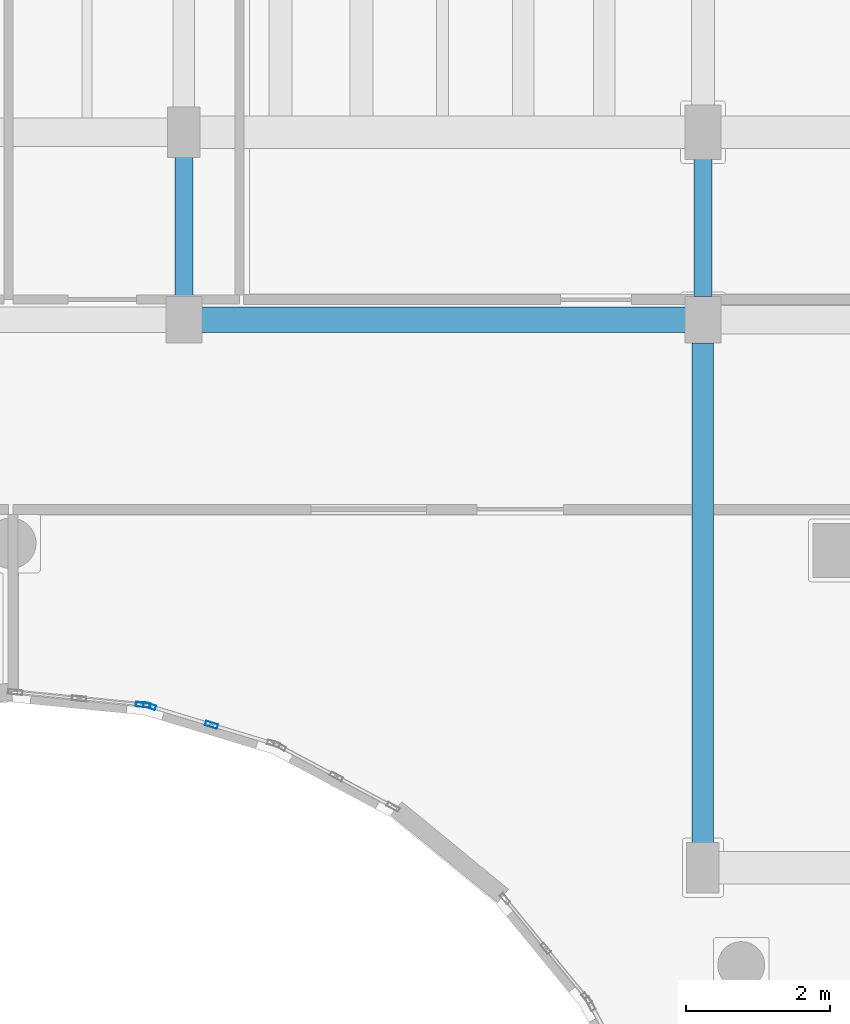
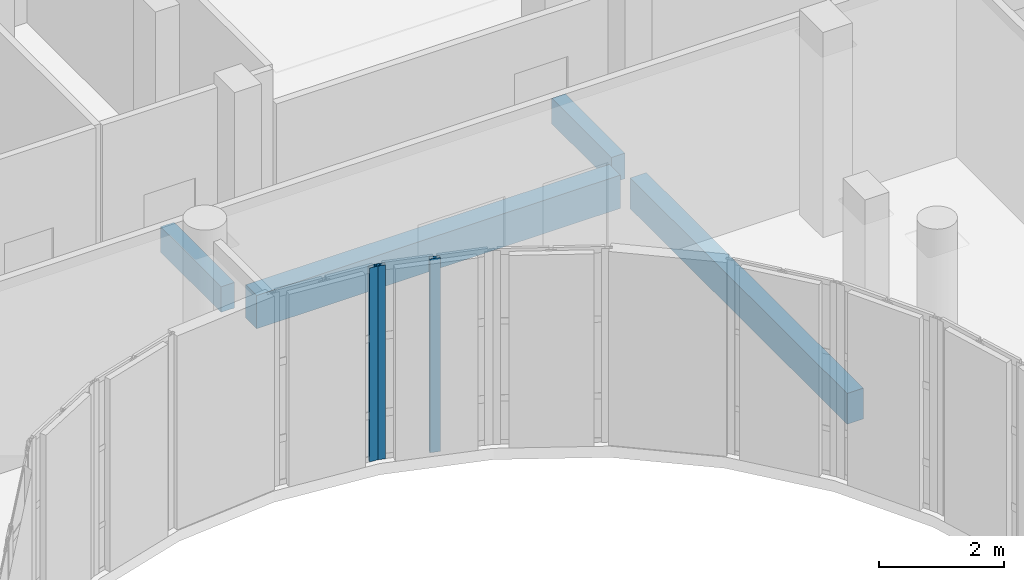
# One storey, part 43 of 89: 4 beams, 3 members, 2 elements without a shape of their own.
"""IFC4 building model written with IfcOpenShell, lengths in metres."""

from ifc_helpers import new_model, si_unit, direction, frame, origin, origin_2d, place, context, subcontext, project, spatial, rectangle, hollow_rectangle, extrude, material, layer, layer_set, material_profile, profile_set, type_object, element, aggregate, save


model = new_model("IFC4")

# Units and contexts
model_context = context("Model", 3, precision=1e-05, world=origin(), true_north=direction((0.0, 1.0)))
body_context = subcontext(model_context, "Body", "Model", "MODEL_VIEW")
ifc_project = project(units=[si_unit("LENGTHUNIT", "METRE"), si_unit("AREAUNIT", "SQUARE_METRE"), si_unit("VOLUMEUNIT", "CUBIC_METRE"), si_unit("PLANEANGLEUNIT", "RADIAN"), si_unit("MASSUNIT", "GRAM", prefix="KILO")], contexts=[model_context])

# Site, building, storey
site_placement = place(None, origin())
site = spatial("IfcSite", under=ifc_project, at=site_placement, CompositionType="ELEMENT")
building_placement = place(site_placement, origin())
building = spatial("IfcBuilding", under=site, at=building_placement, Name="Kelanivale Promenade Academy", CompositionType="ELEMENT")
storey_placement = place(building_placement, frame((0.0, 0.0, 12.199951171875)))
storey = spatial("IfcBuildingStorey", under=building, at=storey_placement, Name="L03", CompositionType="ELEMENT", Elevation=12.199951171875)

# Beam
ifc_material_1 = material(Name="Concrete C35/45", Category="concrete")
ifc_material_profile_1 = material_profile(ifc_material_1, rectangle(XDim=0.35009765625, YDim=0.64990234375, at=origin_2d()), Name="RC-BM 350x650")
ifc_profile_set_1 = profile_set([ifc_material_profile_1], Name="Concrete C35/45")
beam_type_1 = type_object("IfcBeamType", Name="BM-10 RC-BM 350x650", PredefinedType="BEAM", material=ifc_profile_set_1)
beam_1_placement = place(storey_placement, frame((101.445068359375, 71.60009765625, -0.544921875), z_axis=(1.0, 0.0, 0.0), x_axis=(0.0, 1.0, 0.0)))
element("IfcBeam", 1, at=beam_1_placement, inside=storey, type_object=beam_type_1, Name="L03 girder BM-10", PredefinedType="BEAM", context=body_context, shape_type="SweptSolid", body=[
    extrude(rectangle(XDim=0.35009765625, YDim=0.64990234375, at=origin_2d()), origin(), (0.0, 0.0, 1.0), 6.7099609375),
])

# Curtain wall, members
ifc_material_2 = material(Name="Bronze anodised aluminium and solar-control low-E glass", Category="aluminium")
ifc_layer_1 = layer(ifc_material_2, 0.159912109375)
ifc_layer_set_1 = layer_set([ifc_layer_1], Name="Bronze anodised aluminium and solar-control low-E glass")
curtain_wall_type_1 = type_object("IfcCurtainWallType", Name="CW-15 Curtain Wall 1650mm Module", PredefinedType="USERDEFINED", material=ifc_layer_set_1)
curtain_wall_1_placement = place(storey_placement, origin())
curtain_wall_1 = element("IfcCurtainWall", 2, at=curtain_wall_1_placement, inside=storey, type_object=curtain_wall_type_1, Name="L03 courtyard curtain wall CW-15", ObjectType="COURTYARD SCREEN GLAZING", PredefinedType="USERDEFINED")
ifc_material_3 = material(Name="Bronze anodised aluminium EN AW-6063 T6", Category="aluminium")
ifc_material_profile_2 = material_profile(ifc_material_3, hollow_rectangle(XDim=0.06494140625, YDim=0.175048828125, WallThickness=0.00390625, at=origin_2d()), Name="ALU 65x175x4.0")
ifc_profile_set_2 = profile_set([ifc_material_profile_2], Name="Bronze anodised aluminium EN AW-6063 T6")
member_type_1 = type_object("IfcMemberType", Name="CWM-03 ALU 65x175x4.0", PredefinedType="MULLION", material=ifc_profile_set_2)
member_1_placement = place(storey_placement, frame((101.5849609375, 65.98095703125, 0.0), z_axis=(0.0, 0.0, 1.0), x_axis=(-0.290007395287, -0.957024404432, 0.0)))
member_1 = element("IfcMember", 3, at=member_1_placement, type_object=member_type_1, Name="CW-15 mullion 2", PredefinedType="MULLION", context=body_context, shape_type="SweptSolid", body=[
    extrude(hollow_rectangle(XDim=0.06494140625, YDim=0.175048828125, WallThickness=0.00390625, at=origin_2d()), origin(), (0.0, 0.0, 1.0), 3.780029296875),
])
member_2_placement = place(storey_placement, frame((100.72509765625, 66.241455078125, 0.0), z_axis=(0.0, 0.0, 1.0), x_axis=(-0.290007395287, -0.957024404432, 0.0)))
member_2 = element("IfcMember", 4, at=member_2_placement, type_object=member_type_1, Name="CW-15 mullion 3", PredefinedType="MULLION", context=body_context, shape_type="SweptSolid", body=[
    extrude(hollow_rectangle(XDim=0.06494140625, YDim=0.175048828125, WallThickness=0.00390625, at=origin_2d()), origin(), (0.0, 0.0, 1.0), 3.780029296875),
])
aggregate(curtain_wall_1, [member_1, member_2])

# Curtain wall, member
ifc_layer_2 = layer(ifc_material_2, 0.169921875)
ifc_layer_set_2 = layer_set([ifc_layer_2], Name="Bronze anodised aluminium and solar-control low-E glass")
curtain_wall_type_2 = type_object("IfcCurtainWallType", Name="CW-16 Curtain Wall 1800mm Module", PredefinedType="USERDEFINED", material=ifc_layer_set_2)
curtain_wall_2_placement = place(storey_placement, origin())
curtain_wall_2 = element("IfcCurtainWall", 5, at=curtain_wall_2_placement, inside=storey, type_object=curtain_wall_type_2, Name="L03 courtyard curtain wall CW-16", ObjectType="COURTYARD SCREEN GLAZING", PredefinedType="USERDEFINED")
ifc_material_profile_3 = material_profile(ifc_material_3, hollow_rectangle(XDim=0.06494140625, YDim=0.199951171875, WallThickness=0.00439453125, at=origin_2d()), Name="ALU 65x200x4.5")
ifc_profile_set_3 = profile_set([ifc_material_profile_3], Name="Bronze anodised aluminium EN AW-6063 T6")
member_type_2 = type_object("IfcMemberType", Name="CWM-04 ALU 65x200x4.5", PredefinedType="MULLION", material=ifc_profile_set_3)
member_3_placement = place(storey_placement, frame((100.634765625, 66.25927734375, 0.0), z_axis=(0.0, 0.0, 1.0), x_axis=(-0.098538762159, -0.99513321337, 0.0)))
member_3 = element("IfcMember", 6, at=member_3_placement, type_object=member_type_2, Name="CW-16 mullion 1", PredefinedType="MULLION", context=body_context, shape_type="SweptSolid", body=[
    extrude(hollow_rectangle(XDim=0.06494140625, YDim=0.199951171875, WallThickness=0.00439453125, at=origin_2d()), origin(), (0.0, 0.0, 1.0), 3.780029296875),
])
aggregate(curtain_wall_2, [member_3])

# Beams
ifc_material_profile_4 = material_profile(ifc_material_1, rectangle(XDim=0.300048828125, YDim=0.60009765625, at=origin_2d()), Name="RC-BM 300x600")
ifc_profile_set_4 = profile_set([ifc_material_profile_4], Name="Concrete C35/45")
beam_type_2 = type_object("IfcBeamType", Name="JS-03 RC-BM 300x600", PredefinedType="JOIST", material=ifc_profile_set_4)
beam_2_placement = place(storey_placement, frame((108.39990234375, 64.344970703125, -0.52001953125), z_axis=(0.0, 1.0, 0.0), x_axis=(-1.0, 0.0, 0.0)))
element("IfcBeam", 7, at=beam_2_placement, inside=storey, type_object=beam_type_2, Name="L03 beam JS-03", PredefinedType="JOIST", context=body_context, shape_type="SweptSolid", body=[
    extrude(rectangle(XDim=0.300048828125, YDim=0.60009765625, at=origin_2d()), origin(), (0.0, 0.0, 1.0), 6.93505859375),
])
ifc_material_profile_5 = material_profile(ifc_material_1, rectangle(XDim=0.25, YDim=0.5, at=origin_2d()), Name="RC-BM 250x500")
ifc_profile_set_5 = profile_set([ifc_material_profile_5], Name="Concrete C35/45")
beam_type_3 = type_object("IfcBeamType", Name="LN-02 RC-BM 250x500", PredefinedType="LINTEL", material=ifc_profile_set_5)
beam_3_placement = place(storey_placement, frame((101.199951171875, 71.919921875, -0.469970703125), z_axis=(0.0, 1.0, 0.0), x_axis=(-1.0, 0.0, 0.0)))
element("IfcBeam", 8, at=beam_3_placement, inside=storey, type_object=beam_type_3, Name="L03 beam LN-02", PredefinedType="LINTEL", context=body_context, shape_type="SweptSolid", body=[
    extrude(rectangle(XDim=0.25, YDim=0.5, at=origin_2d()), origin(), (0.0, 0.0, 1.0), 1.93505859375),
])
beam_4_placement = place(storey_placement, frame((108.39990234375, 71.919921875, -0.469970703125), z_axis=(0.0, 1.0, 0.0), x_axis=(-1.0, 0.0, 0.0)))
element("IfcBeam", 9, at=beam_4_placement, inside=storey, type_object=beam_type_3, Name="L03 beam LN-02", PredefinedType="LINTEL", context=body_context, shape_type="SweptSolid", body=[
    extrude(rectangle(XDim=0.25, YDim=0.5, at=origin_2d()), origin(), (0.0, 0.0, 1.0), 1.91015625),
])

save(model, "model.ifc")
